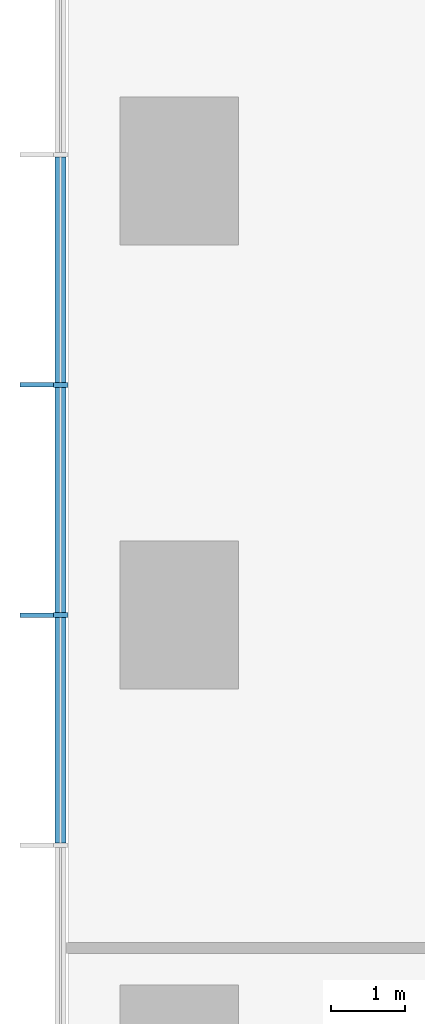
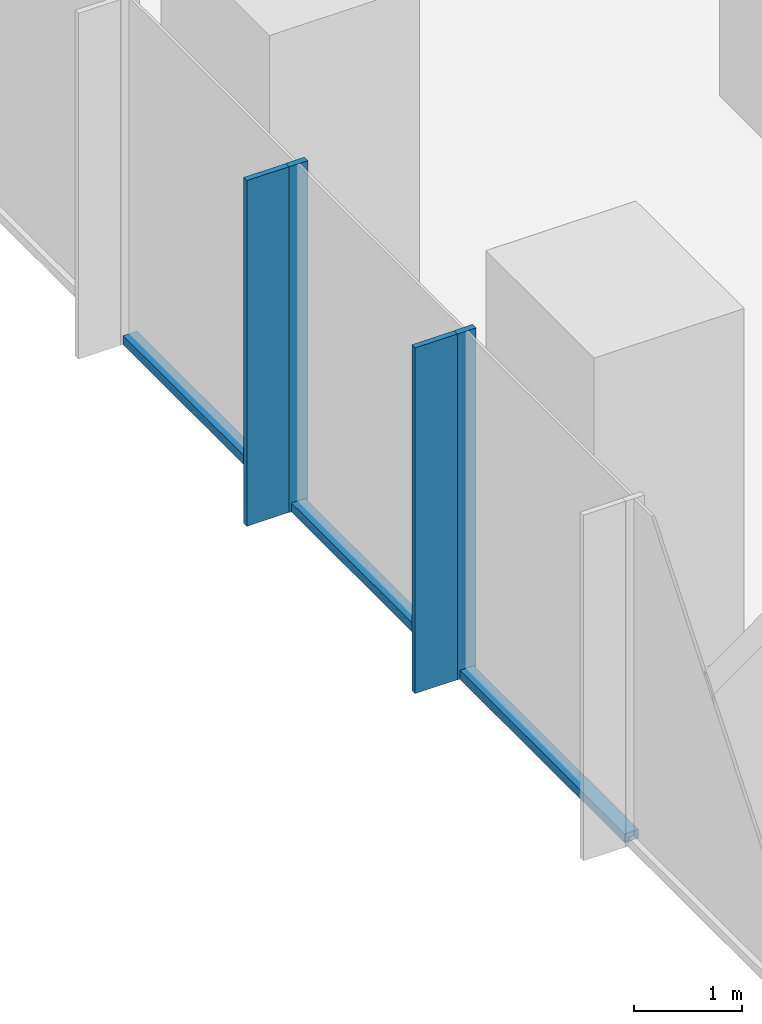
# One storey, part 3 of 11: 7 members, 1 element without a shape of its own.
"""IFC4 building model written with IfcOpenShell, lengths in metres."""

from ifc_helpers import new_model, si_unit, direction, frame, origin, origin_2d, place, context, subcontext, project, spatial, rectangle, extrude, material, layer, layer_set, material_profile, profile_set, type_object, element, aggregate, save


model = new_model("IFC4")

# Units and contexts
model_context = context("Model", 3, precision=1e-05, world=origin(), true_north=direction((0.0, 1.0)))
body_context = subcontext(model_context, "Body", "Model", "MODEL_VIEW")
ifc_project = project(units=[si_unit("LENGTHUNIT", "METRE"), si_unit("AREAUNIT", "SQUARE_METRE"), si_unit("VOLUMEUNIT", "CUBIC_METRE"), si_unit("PLANEANGLEUNIT", "RADIAN"), si_unit("MASSUNIT", "GRAM", prefix="KILO")], contexts=[model_context])

# Site, building, storey
site_placement = place(None, origin())
site = spatial("IfcSite", under=ifc_project, at=site_placement, CompositionType="ELEMENT")
building_placement = place(site_placement, origin())
building = spatial("IfcBuilding", under=site, at=building_placement, Name="Highveld Stack Headquarters", CompositionType="ELEMENT")
storey_placement = place(building_placement, frame((0.0, 0.0, 33.800048828125)))
storey = spatial("IfcBuildingStorey", under=building, at=storey_placement, Name="L07", CompositionType="ELEMENT", Elevation=33.800048828125)

# Curtain wall, members
ifc_material_1 = material(Name="Aluminium bronze anodised", Category="aluminium")
ifc_layer = layer(ifc_material_1, 0.199951171875)
ifc_layer_set = layer_set([ifc_layer], Name="Aluminium bronze anodised")
curtain_wall_type = type_object("IfcCurtainWallType", Name="CW1 TOWER UNITISED CURTAIN WALL", PredefinedType="NOTDEFINED", material=ifc_layer_set)
curtain_wall_placement = place(storey_placement, origin())
curtain_wall = element("IfcCurtainWall", 1, at=curtain_wall_placement, inside=storey, type_object=curtain_wall_type, Name="Curtain wall CW1 L07 W", PredefinedType="NOTDEFINED")
ifc_material_2 = material(Name="Aluminium bronze anodised", Category="aluminium")
ifc_material_profile_1 = material_profile(ifc_material_2, rectangle(XDim=0.449951171875, YDim=0.06005859375, at=origin_2d()), Name="FIN 450x60")
ifc_profile_set_1 = profile_set([ifc_material_profile_1], Name="Aluminium bronze anodised")
member_type_1 = type_object("IfcMemberType", Name="CW1 BRONZE FIN 450x60", PredefinedType="USERDEFINED", material=ifc_profile_set_1)
member_1_placement = place(storey_placement, frame((-25.925048828125, 3.110595703125, 0.0), z_axis=(0.0, 0.0, 1.0), x_axis=(1.0, 0.0, 0.0)))
member_1 = element("IfcMember", 2, at=member_1_placement, type_object=member_type_1, Name="CW1 fin L07 6", ObjectType="FIN", PredefinedType="USERDEFINED", context=body_context, shape_type="SweptSolid", body=[
    extrude(rectangle(XDim=0.449951171875, YDim=0.06005859375, at=origin_2d()), origin(), (0.0, 0.0, 1.0), 3.89990234375),
])
member_2_placement = place(storey_placement, frame((-25.925048828125, 0.0, 0.0), z_axis=(0.0, 0.0, 1.0), x_axis=(1.0, 0.0, 0.0)))
member_2 = element("IfcMember", 3, at=member_2_placement, type_object=member_type_1, Name="CW1 fin L07 7", ObjectType="FIN", PredefinedType="USERDEFINED", context=body_context, shape_type="SweptSolid", body=[
    extrude(rectangle(XDim=0.449951171875, YDim=0.06005859375, at=origin_2d()), origin(), (0.0, 0.0, 1.0), 3.89990234375),
])
ifc_material_3 = material(Name="Aluminium bronze anodised", Category="aluminium")
ifc_material_profile_2 = material_profile(ifc_material_3, rectangle(XDim=0.199951171875, YDim=0.06494140625, at=origin_2d()), Name="CW1 MULLION 65x200")
ifc_profile_set_2 = profile_set([ifc_material_profile_2], Name="Aluminium bronze anodised")
member_type_2 = type_object("IfcMemberType", Name="CW1 MULLION 65x200", PredefinedType="MULLION", material=ifc_profile_set_2)
member_3_placement = place(storey_placement, frame((-25.60009765625, 3.110595703125, 0.0), z_axis=(0.0, 0.0, 1.0), x_axis=(1.0, 0.0, 0.0)))
member_3 = element("IfcMember", 4, at=member_3_placement, type_object=member_type_2, Name="CW1 mullion L07 6", PredefinedType="MULLION", context=body_context, shape_type="SweptSolid", body=[
    extrude(rectangle(XDim=0.199951171875, YDim=0.06494140625, at=origin_2d()), origin(), (0.0, 0.0, 1.0), 3.89990234375),
])
member_4_placement = place(storey_placement, frame((-25.60009765625, 0.0, 0.0), z_axis=(0.0, 0.0, 1.0), x_axis=(1.0, 0.0, 0.0)))
member_4 = element("IfcMember", 5, at=member_4_placement, type_object=member_type_2, Name="CW1 mullion L07 7", PredefinedType="MULLION", context=body_context, shape_type="SweptSolid", body=[
    extrude(rectangle(XDim=0.199951171875, YDim=0.06494140625, at=origin_2d()), origin(), (0.0, 0.0, 1.0), 3.89990234375),
])
ifc_material_4 = material(Name="Aluminium bronze anodised", Category="aluminium")
ifc_material_profile_3 = material_profile(ifc_material_4, rectangle(XDim=0.14990234375, YDim=0.10009765625, at=origin_2d()), Name="CW1 TRANSOM 150x100")
ifc_profile_set_3 = profile_set([ifc_material_profile_3], Name="Aluminium bronze anodised")
member_type_3 = type_object("IfcMemberType", Name="CW1 STACK TRANSOM 150x100", PredefinedType="USERDEFINED", material=ifc_profile_set_3)
member_5_placement = place(storey_placement, frame((-25.60009765625, 6.1884765625, 0.050048828125), z_axis=(0.0, -1.0, 0.0), x_axis=(1.0, 0.0, 0.0)))
member_5 = element("IfcMember", 6, at=member_5_placement, type_object=member_type_3, Name="CW1 transom L07 5.1", ObjectType="TRANSOM", PredefinedType="USERDEFINED", context=body_context, shape_type="SweptSolid", body=[
    extrude(rectangle(XDim=0.14990234375, YDim=0.10009765625, at=origin_2d()), origin(), (0.0, 0.0, 1.0), 3.04541015625),
])
member_6_placement = place(storey_placement, frame((-25.60009765625, 3.077880859375, 0.050048828125), z_axis=(0.0, -1.0, 0.0), x_axis=(1.0, 0.0, 0.0)))
member_6 = element("IfcMember", 7, at=member_6_placement, type_object=member_type_3, Name="CW1 transom L07 6.1", ObjectType="TRANSOM", PredefinedType="USERDEFINED", context=body_context, shape_type="SweptSolid", body=[
    extrude(rectangle(XDim=0.14990234375, YDim=0.10009765625, at=origin_2d()), origin(), (0.0, 0.0, 1.0), 3.04541015625),
])
member_7_placement = place(storey_placement, frame((-25.60009765625, -0.032470703125, 0.050048828125), z_axis=(0.0, -1.0, 0.0), x_axis=(1.0, 0.0, 0.0)))
member_7 = element("IfcMember", 8, at=member_7_placement, type_object=member_type_3, Name="CW1 transom L07 7.1", ObjectType="TRANSOM", PredefinedType="USERDEFINED", context=body_context, shape_type="SweptSolid", body=[
    extrude(rectangle(XDim=0.14990234375, YDim=0.10009765625, at=origin_2d()), origin(), (0.0, 0.0, 1.0), 3.04541015625),
])
aggregate(curtain_wall, [member_3, member_1, member_4, member_2, member_5, member_6, member_7])

save(model, "model.ifc")
